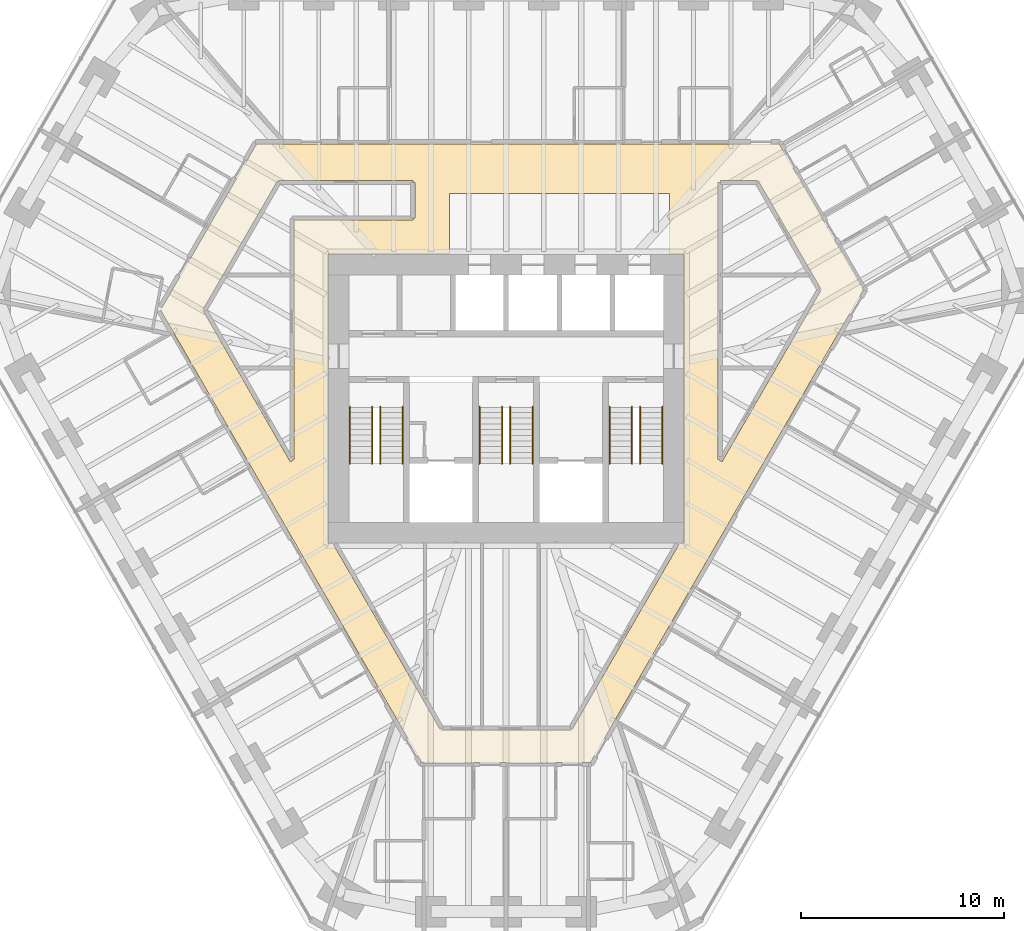
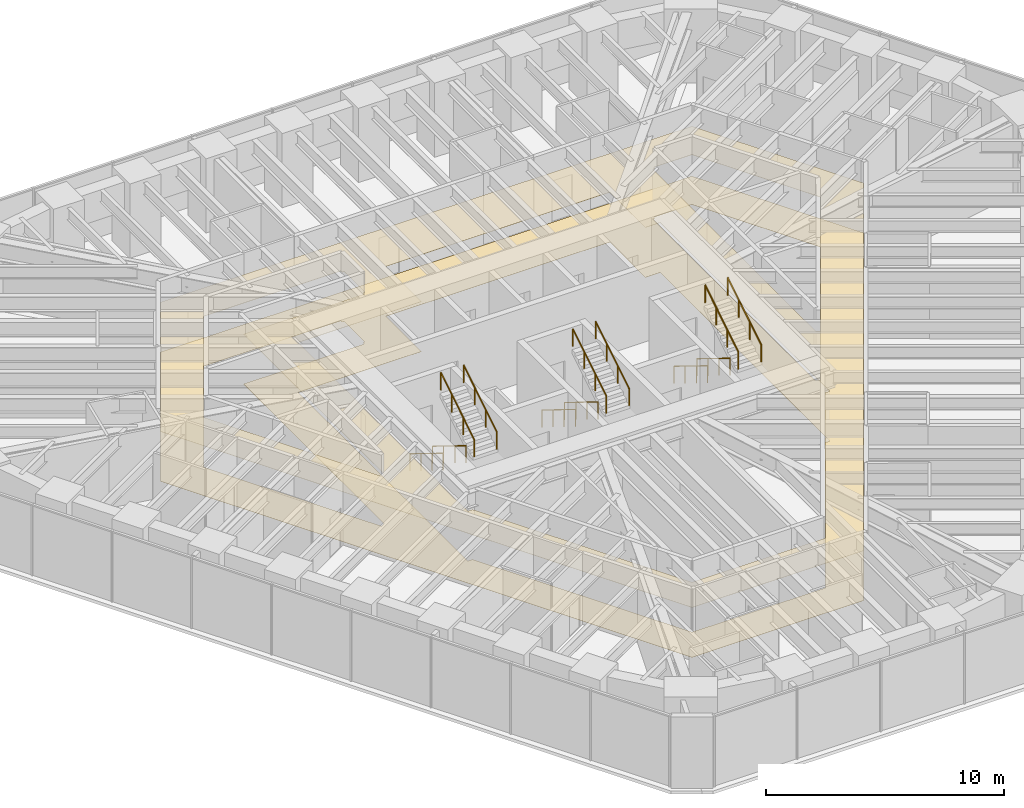
# One storey, part 17 of 17: 12 railings, 2 coverings.
"""IFC4 building model written with IfcOpenShell, lengths in metres."""

from ifc_helpers import new_model, si_unit, direction, frame, origin, origin_2d, place, context, subcontext, project, spatial, polyline, circle, outline, extrude, material, layer, layer_set, type_object, element, save


model = new_model("IFC4")

# Units and contexts
model_context = context("Model", 3, precision=1e-05, world=origin(), true_north=direction((0.0, 1.0)))
body_context = subcontext(model_context, "Body", "Model", "MODEL_VIEW")
ifc_project = project(units=[si_unit("LENGTHUNIT", "METRE"), si_unit("AREAUNIT", "SQUARE_METRE"), si_unit("VOLUMEUNIT", "CUBIC_METRE"), si_unit("PLANEANGLEUNIT", "RADIAN"), si_unit("MASSUNIT", "GRAM", prefix="KILO")], contexts=[model_context])

# Site, building, storey
site_placement = place(None, origin())
site = spatial("IfcSite", under=ifc_project, at=site_placement, CompositionType="ELEMENT")
building_placement = place(site_placement, origin())
building = spatial("IfcBuilding", under=site, at=building_placement, Name="Sandreach Pilgrim Tower", CompositionType="ELEMENT")
storey_placement = place(building_placement, frame((0.0, 0.0, 217.39990234375)))
storey = spatial("IfcBuildingStorey", under=building, at=storey_placement, Name="L54", CompositionType="ELEMENT", Elevation=217.39990234375)

# Coverings
ifc_material_1 = material(Name="Nylon carpet tile on the slab", Category="textile")
ifc_layer_1 = layer(ifc_material_1, 0.008056640625)
ifc_layer_set_1 = layer_set([ifc_layer_1], Name="Carpet tile")
covering_type_1 = type_object("IfcCoveringType", Name="Carpet tile", PredefinedType="FLOORING", material=ifc_layer_set_1)
covering_1_placement = place(storey_placement, origin())
element("IfcCovering", 1, at=covering_1_placement, inside=storey, type_object=covering_type_1, Name="Floor finish 54C Corridor 54", PredefinedType="FLOORING", context=body_context, shape_type="SweptSolid", body=[
    extrude(outline(polyline([(-17.0244140625, 4.369873046875), (-12.292236328125, 12.56005859375), (13.442138671875, 12.56005859375), (17.60302734375, 5.3671875), (4.15234375, -17.929931640625), (-4.15234375, -17.929931640625), (-17.0244140625, 4.369873046875)]), holes=[polyline([(10.449951171875, 10.659912109375), (10.449951171875, -2.9921875), (10.63671875, -3.10009765625), (15.525634765625, 5.370361328125), (12.40771484375, 10.760009765625), (10.56005859375, 10.760009765625), (10.56005859375, 10.66015625), (10.449951171875, 10.659912109375)]), polyline([(-3.227783203125, -16.330078125), (3.227783203125, -16.330078125), (8.542724609375, -7.1201171875), (8.77001953125, -7.1201171875), (8.77001953125, 7.1201171875), (8.050048828125, 7.1201171875), (8.050048828125, 10.10009765625), (-2.800048828125, 10.10009765625), (-2.800048828125, 7.1201171875), (-8.77001953125, 7.1201171875), (-8.77001953125, -7.1201171875), (-8.542724609375, -7.1201171875), (-3.227783203125, -16.330078125)]), polyline([(-14.945556640625, 4.370361328125), (-10.636474609375, -3.10009765625), (-10.449951171875, -2.9921875), (-10.449951171875, 8.800048828125), (-4.60009765625, 8.800048828125), (-4.60009765625, 8.909912109375), (-4.5, 8.909912109375), (-4.5, 10.64990234375), (-4.60009765625, 10.64990234375), (-4.60009765625, 10.760009765625), (-11.247802734375, 10.760009765625), (-14.945556640625, 4.370361328125)])]), origin(), (0.0, 0.0, 1.0), 0.008056640625),
])
ifc_material_2 = material(Name="Gypsum board suspended ceiling on a steel grid", Category="steel")
ifc_layer_2 = layer(ifc_material_2, 0.012939453125)
ifc_layer_set_2 = layer_set([ifc_layer_2], Name="Gypsum board suspended ceiling")
covering_type_2 = type_object("IfcCoveringType", Name="Gypsum board suspended ceiling", PredefinedType="CEILING", material=ifc_layer_set_2)
covering_2_placement = place(storey_placement, frame((0.0, 0.0, 2.550048828125)))
element("IfcCovering", 2, at=covering_2_placement, inside=storey, type_object=covering_type_2, Name="Ceiling 54C Corridor 54", PredefinedType="CEILING", context=body_context, shape_type="SweptSolid", body=[
    extrude(outline(polyline([(-17.0244140625, 4.369873046875), (-12.292236328125, 12.56005859375), (13.442138671875, 12.56005859375), (17.60302734375, 5.3671875), (4.15234375, -17.929931640625), (-4.15234375, -17.929931640625), (-17.0244140625, 4.369873046875)]), holes=[polyline([(10.449951171875, 10.659912109375), (10.449951171875, -2.9921875), (10.63671875, -3.10009765625), (15.525634765625, 5.370361328125), (12.40771484375, 10.760009765625), (10.56005859375, 10.760009765625), (10.56005859375, 10.66015625), (10.449951171875, 10.659912109375)]), polyline([(-3.227783203125, -16.330078125), (3.227783203125, -16.330078125), (8.542724609375, -7.1201171875), (8.77001953125, -7.1201171875), (8.77001953125, 7.1201171875), (8.050048828125, 7.1201171875), (8.050048828125, 10.10009765625), (-2.800048828125, 10.10009765625), (-2.800048828125, 7.1201171875), (-8.77001953125, 7.1201171875), (-8.77001953125, -7.1201171875), (-8.542724609375, -7.1201171875), (-3.227783203125, -16.330078125)]), polyline([(-14.945556640625, 4.370361328125), (-10.636474609375, -3.10009765625), (-10.449951171875, -2.9921875), (-10.449951171875, 8.800048828125), (-4.60009765625, 8.800048828125), (-4.60009765625, 8.909912109375), (-4.5, 8.909912109375), (-4.5, 10.64990234375), (-4.60009765625, 10.64990234375), (-4.60009765625, 10.760009765625), (-11.247802734375, 10.760009765625), (-14.945556640625, 4.370361328125)])]), origin(), (0.0, 0.0, 1.0), 0.012939453125),
])

# Railings
ifc_material_3 = material(Name="Stainless steel tube", Category="steel")
railing_type = type_object("IfcRailingType", Name="Stair handrail", PredefinedType="HANDRAIL", material=ifc_material_3)
for number, where, name in (
    (3, (-6.60009765625, -0.39990234375, 0.1728515625), "Handrail ST1 L54 flight 1"),
    (4, (-7.699951171875, -0.39990234375, 0.1728515625), "Handrail ST1 L54 flight 1"),
):
    element("IfcRailing", number, at=place(storey_placement, frame(where)), inside=storey, type_object=railing_type, Name=name, PredefinedType="HANDRAIL", context=body_context, shape_type="SweptSolid", body=[
        extrude(circle(Radius=0.02392578125, at=origin_2d()), frame((0.0, 0.0, 0.8759765625), z_axis=(0.0, -0.851089632645, 0.525020415988), x_axis=(1.0, 0.0, 0.0)), (0.0, 0.0, 1.0), 3.2900390625),
        extrude(circle(Radius=0.02099609375, at=origin_2d()), origin(), (0.0, 0.0, 1.0), 0.851806640625),
        extrude(circle(Radius=0.02099609375, at=origin_2d()), frame((0.0, -0.933349609375, 0.57568359375)), (0.0, 0.0, 1.0), 0.851806640625),
        extrude(circle(Radius=0.02099609375, at=origin_2d()), frame((0.0, -1.86669921875, 1.151611328125)), (0.0, 0.0, 1.0), 0.851806640625),
        extrude(circle(Radius=0.02099609375, at=origin_2d()), frame((0.0, -2.800048828125, 1.727294921875)), (0.0, 0.0, 1.0), 0.851806640625),
    ])
for number, where, name in (
    (5, (-6.199951171875, -3.199951171875, 2.07275390625), "Handrail ST1 L54 flight 2"),
    (6, (-5.10009765625, -3.199951171875, 2.07275390625), "Handrail ST1 L54 flight 2"),
):
    element("IfcRailing", number, at=place(storey_placement, frame(where)), inside=storey, type_object=railing_type, Name=name, PredefinedType="HANDRAIL", context=body_context, shape_type="SweptSolid", body=[
        extrude(circle(Radius=0.02392578125, at=origin_2d()), frame((0.0, 0.0, 0.8759765625), z_axis=(0.0, 0.851089632645, 0.525020415988), x_axis=(-1.0, 0.0, 0.0)), (0.0, 0.0, 1.0), 3.2900390625),
        extrude(circle(Radius=0.02099609375, at=origin_2d()), origin(), (0.0, 0.0, 1.0), 0.851806640625),
        extrude(circle(Radius=0.02099609375, at=origin_2d()), frame((0.0, 0.933349609375, 0.57568359375)), (0.0, 0.0, 1.0), 0.851806640625),
        extrude(circle(Radius=0.02099609375, at=origin_2d()), frame((0.0, 1.86669921875, 1.151611328125)), (0.0, 0.0, 1.0), 0.851806640625),
        extrude(circle(Radius=0.02099609375, at=origin_2d()), frame((0.0, 2.800048828125, 1.727294921875)), (0.0, 0.0, 1.0), 0.851806640625),
    ])
for number, where, name in (
    (7, (-0.199951171875, -0.39990234375, 0.1728515625), "Handrail ST3 L54 flight 1"),
    (8, (-1.300048828125, -0.39990234375, 0.1728515625), "Handrail ST3 L54 flight 1"),
):
    element("IfcRailing", number, at=place(storey_placement, frame(where)), inside=storey, type_object=railing_type, Name=name, PredefinedType="HANDRAIL", context=body_context, shape_type="SweptSolid", body=[
        extrude(circle(Radius=0.02392578125, at=origin_2d()), frame((0.0, 0.0, 0.8759765625), z_axis=(0.0, -0.851089632645, 0.525020415988), x_axis=(1.0, 0.0, 0.0)), (0.0, 0.0, 1.0), 3.2900390625),
        extrude(circle(Radius=0.02099609375, at=origin_2d()), origin(), (0.0, 0.0, 1.0), 0.851806640625),
        extrude(circle(Radius=0.02099609375, at=origin_2d()), frame((0.0, -0.933349609375, 0.57568359375)), (0.0, 0.0, 1.0), 0.851806640625),
        extrude(circle(Radius=0.02099609375, at=origin_2d()), frame((0.0, -1.86669921875, 1.151611328125)), (0.0, 0.0, 1.0), 0.851806640625),
        extrude(circle(Radius=0.02099609375, at=origin_2d()), frame((0.0, -2.800048828125, 1.727294921875)), (0.0, 0.0, 1.0), 0.851806640625),
    ])
for number, where, name in (
    (9, (0.199951171875, -3.199951171875, 2.07275390625), "Handrail ST3 L54 flight 2"),
    (10, (1.300048828125, -3.199951171875, 2.07275390625), "Handrail ST3 L54 flight 2"),
):
    element("IfcRailing", number, at=place(storey_placement, frame(where)), inside=storey, type_object=railing_type, Name=name, PredefinedType="HANDRAIL", context=body_context, shape_type="SweptSolid", body=[
        extrude(circle(Radius=0.02392578125, at=origin_2d()), frame((0.0, 0.0, 0.8759765625), z_axis=(0.0, 0.851089632645, 0.525020415988), x_axis=(-1.0, 0.0, 0.0)), (0.0, 0.0, 1.0), 3.2900390625),
        extrude(circle(Radius=0.02099609375, at=origin_2d()), origin(), (0.0, 0.0, 1.0), 0.851806640625),
        extrude(circle(Radius=0.02099609375, at=origin_2d()), frame((0.0, 0.933349609375, 0.57568359375)), (0.0, 0.0, 1.0), 0.851806640625),
        extrude(circle(Radius=0.02099609375, at=origin_2d()), frame((0.0, 1.86669921875, 1.151611328125)), (0.0, 0.0, 1.0), 0.851806640625),
        extrude(circle(Radius=0.02099609375, at=origin_2d()), frame((0.0, 2.800048828125, 1.727294921875)), (0.0, 0.0, 1.0), 0.851806640625),
    ])
for number, where, name in (
    (11, (6.199951171875, -0.39990234375, 0.1728515625), "Handrail ST2 L54 flight 1"),
    (12, (5.10009765625, -0.39990234375, 0.1728515625), "Handrail ST2 L54 flight 1"),
):
    element("IfcRailing", number, at=place(storey_placement, frame(where)), inside=storey, type_object=railing_type, Name=name, PredefinedType="HANDRAIL", context=body_context, shape_type="SweptSolid", body=[
        extrude(circle(Radius=0.02392578125, at=origin_2d()), frame((0.0, 0.0, 0.8759765625), z_axis=(0.0, -0.851089632645, 0.525020415988), x_axis=(1.0, 0.0, 0.0)), (0.0, 0.0, 1.0), 3.2900390625),
        extrude(circle(Radius=0.02099609375, at=origin_2d()), origin(), (0.0, 0.0, 1.0), 0.851806640625),
        extrude(circle(Radius=0.02099609375, at=origin_2d()), frame((0.0, -0.933349609375, 0.57568359375)), (0.0, 0.0, 1.0), 0.851806640625),
        extrude(circle(Radius=0.02099609375, at=origin_2d()), frame((0.0, -1.86669921875, 1.151611328125)), (0.0, 0.0, 1.0), 0.851806640625),
        extrude(circle(Radius=0.02099609375, at=origin_2d()), frame((0.0, -2.800048828125, 1.727294921875)), (0.0, 0.0, 1.0), 0.851806640625),
    ])
for number, where, name in (
    (13, (6.60009765625, -3.199951171875, 2.07275390625), "Handrail ST2 L54 flight 2"),
    (14, (7.699951171875, -3.199951171875, 2.07275390625), "Handrail ST2 L54 flight 2"),
):
    element("IfcRailing", number, at=place(storey_placement, frame(where)), inside=storey, type_object=railing_type, Name=name, PredefinedType="HANDRAIL", context=body_context, shape_type="SweptSolid", body=[
        extrude(circle(Radius=0.02392578125, at=origin_2d()), frame((0.0, 0.0, 0.8759765625), z_axis=(0.0, 0.851089632645, 0.525020415988), x_axis=(-1.0, 0.0, 0.0)), (0.0, 0.0, 1.0), 3.2900390625),
        extrude(circle(Radius=0.02099609375, at=origin_2d()), origin(), (0.0, 0.0, 1.0), 0.851806640625),
        extrude(circle(Radius=0.02099609375, at=origin_2d()), frame((0.0, 0.933349609375, 0.57568359375)), (0.0, 0.0, 1.0), 0.851806640625),
        extrude(circle(Radius=0.02099609375, at=origin_2d()), frame((0.0, 1.86669921875, 1.151611328125)), (0.0, 0.0, 1.0), 0.851806640625),
        extrude(circle(Radius=0.02099609375, at=origin_2d()), frame((0.0, 2.800048828125, 1.727294921875)), (0.0, 0.0, 1.0), 0.851806640625),
    ])

save(model, "model.ifc")
